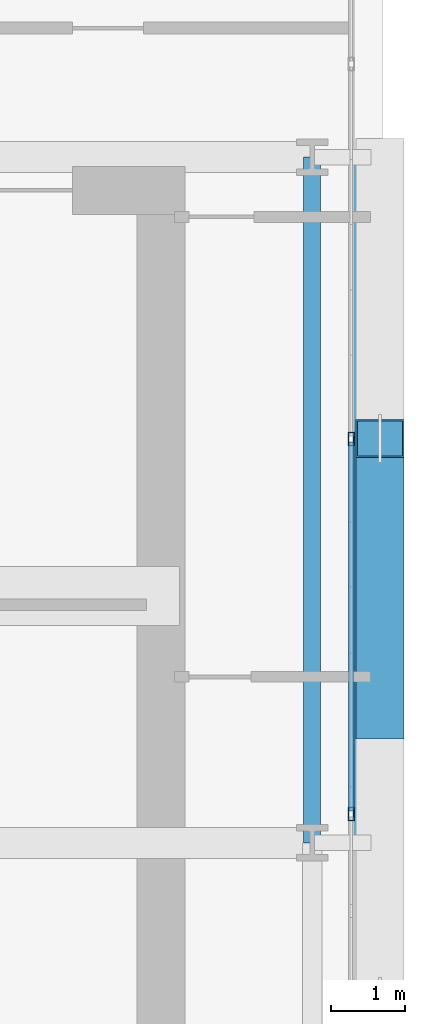
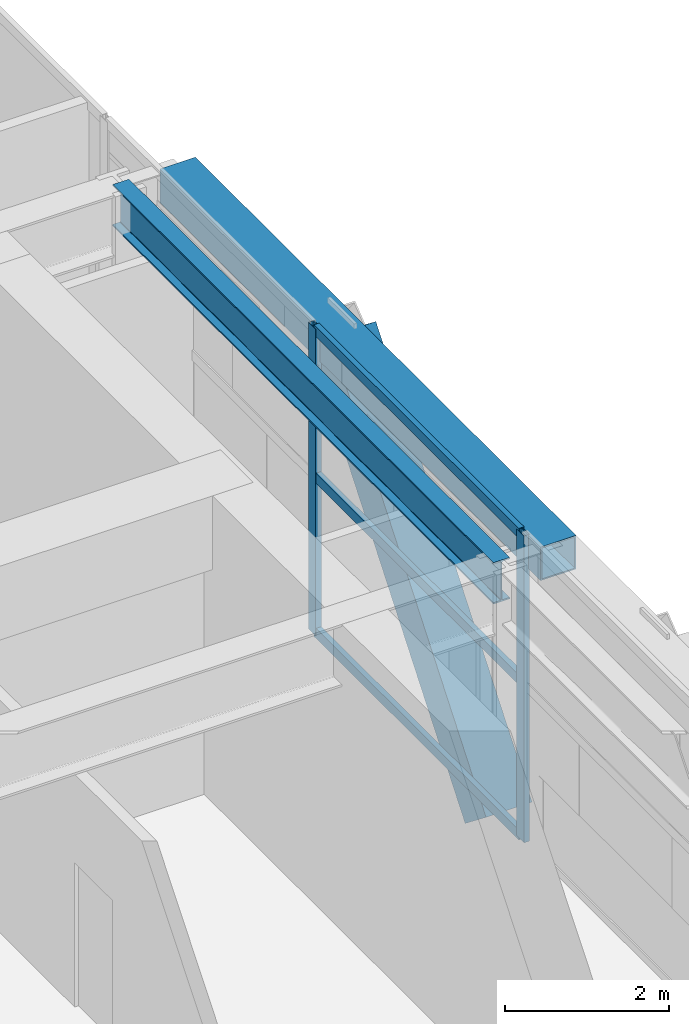
# One storey, part 15 of 35: 6 members, 2 beams, 1 element without a shape of its own.
"""IFC4 building model written with IfcOpenShell, lengths in metres."""

import ifcopenshell
import ifcopenshell.guid

model = None  # the IFC model being written
_history = None  # IfcOwnerHistory: only IFC2X3 demands one
_inside = {}  # id of a spatial element -> (the spatial element, [elements in it])
_under = {}  # id of a project, library or spatial element -> (it, [spatial elements below it])
_declared = {}  # id of a project -> (the project, [libraries it declares])
_typed = {}  # id of a type object -> (the type object, [elements of that type])
_made_of = {}  # id of a material, layer set ... -> (it, [elements and type objects made of it])


def new_model(schema):
    """Start an empty IFC model of exactly this schema.

    Asked for "IFC4X3", IfcOpenShell would pick the latest addendum, in which some entities
    have other attributes; the version numbers below select the first issue.
    IFC2X3 requires an IfcOwnerHistory on every rooted entity: one is made here for all.
    """
    global model, _history
    if schema == "IFC4X3":
        model = ifcopenshell.file(schema_version=(4, 3, 0, 0))
    else:
        model = ifcopenshell.file(schema=schema)
    _inside.clear()
    _under.clear()
    _declared.clear()
    _typed.clear()
    _made_of.clear()
    _history = None
    if model.schema == "IFC2X3":
        org = make("IfcOrganization", Name="unknown")
        user = make(
            "IfcPersonAndOrganization",
            ThePerson=make("IfcPerson", FamilyName="unknown"),
            TheOrganization=org,
        )
        app = make(
            "IfcApplication",
            ApplicationDeveloper=org,
            Version="unknown",
            ApplicationFullName="unknown",
            ApplicationIdentifier="unknown",
        )
        _history = make(
            "IfcOwnerHistory",
            OwningUser=user,
            OwningApplication=app,
            ChangeAction="ADDED",
            CreationDate=0,
        )
    return model


def make(cls, **values):
    """One entity of the class cls with the attributes given. An attribute that is None is left unset."""
    return model.create_entity(
        cls, **{name: value for name, value in values.items() if value is not None}
    )


def rooted(cls, **values):
    """An entity with a GlobalId (a new one), such as an element, a storey or a relation."""
    return make(cls, GlobalId=ifcopenshell.guid.new(), OwnerHistory=_history, **values)


def si_unit(unit_type, name, prefix=None):
    """IfcSIUnit, for example si_unit("LENGTHUNIT", "METRE", prefix="MILLI")."""
    return make("IfcSIUnit", UnitType=unit_type, Prefix=prefix, Name=name)


def assignment(units):
    """IfcUnitAssignment: the units of a project."""
    return None if units is None else make("IfcUnitAssignment", Units=units)


def point(xyz):
    """IfcCartesianPoint."""
    return None if xyz is None else make("IfcCartesianPoint", Coordinates=xyz)


def direction(xyz):
    """IfcDirection."""
    return None if xyz is None else make("IfcDirection", DirectionRatios=xyz)


def frame(location, z_axis=None, x_axis=None):
    """IfcAxis2Placement3D, a coordinate frame: its origin and axes. An axis left out is left unset."""
    return make(
        "IfcAxis2Placement3D",
        Location=point(location),
        Axis=direction(z_axis),
        RefDirection=direction(x_axis),
    )


def frame_2d(location, x_axis=None):
    """IfcAxis2Placement2D, a coordinate frame in the plane: its origin and x axis."""
    return make(
        "IfcAxis2Placement2D", Location=point(location), RefDirection=direction(x_axis)
    )


def origin():
    """The frame at (0, 0, 0) with its axes left unset."""
    return frame((0.0, 0.0, 0.0))


def origin_2d():
    """The frame at (0, 0) in the plane with its x axis left unset."""
    return frame_2d((0.0, 0.0))


def place(relative_to, where):
    """IfcLocalPlacement: puts the frame where relative to a parent placement (None: the world)."""
    return make(
        "IfcLocalPlacement", PlacementRelTo=relative_to, RelativePlacement=where
    )


def context(
    kind, dimensions, precision=None, world=None, true_north=None, identifier=None
):
    """IfcGeometricRepresentationContext, for example the 3D "Model" context."""
    return make(
        "IfcGeometricRepresentationContext",
        ContextIdentifier=identifier,
        ContextType=kind,
        CoordinateSpaceDimension=dimensions,
        Precision=precision,
        WorldCoordinateSystem=world,
        TrueNorth=true_north,
    )


def subcontext(parent, identifier, kind, view, scale=None):
    """IfcGeometricRepresentationSubContext, for example "Body" below "Model"."""
    return make(
        "IfcGeometricRepresentationSubContext",
        ContextIdentifier=identifier,
        ContextType=kind,
        ParentContext=parent,
        TargetScale=scale,
        TargetView=view,
    )


def project(units=None, contexts=None):
    """IfcProject with its units and contexts."""
    return rooted(
        "IfcProject",
        Name="project",
        RepresentationContexts=contexts,
        UnitsInContext=assignment(units),
    )


def spatial(cls, under=None, at=None, **own):
    """A site, building, storey or space (cls), placed at a placement, below another one or the project."""
    s = rooted(cls, ObjectPlacement=at, **own)
    if under is not None:
        _under.setdefault(under.id(), (under, []))[1].append(s)
    return s


def profile(cls, at=None, kind="AREA", **sizes):
    """A parametric profile (cls). Its sizes go by their IFC names, for example OverallWidth=200.0."""
    return make(cls, ProfileType=kind, Position=at, **sizes)


def hollow_rectangle(**sizes):
    """IfcRectangleHollowProfileDef."""
    return profile("IfcRectangleHollowProfileDef", **sizes)


def i_section(**sizes):
    """IfcIShapeProfileDef."""
    return profile("IfcIShapeProfileDef", **sizes)


def extrude(swept, where, along, depth):
    """IfcExtrudedAreaSolid: the profile swept, set in the frame where, extruded along a direction by depth."""
    return make(
        "IfcExtrudedAreaSolid",
        SweptArea=swept,
        Position=where,
        ExtrudedDirection=direction(along),
        Depth=depth,
    )


def shape(context_of_items, identifier, shape_type, items):
    """IfcShapeRepresentation: the items that make up one representation, for example the "Body"."""
    return make(
        "IfcShapeRepresentation",
        ContextOfItems=context_of_items,
        RepresentationIdentifier=identifier,
        RepresentationType=shape_type,
        Items=items,
    )


def source(mapping_origin, context_of_items, identifier, shape_type, items):
    """IfcRepresentationMap: a shape defined once, which mapped items show again and again."""
    return make(
        "IfcRepresentationMap",
        MappingOrigin=mapping_origin,
        MappedRepresentation=shape(context_of_items, identifier, shape_type, items),
    )


def transform(
    local_origin,
    x_axis=None,
    y_axis=None,
    z_axis=None,
    scale=None,
    scale2=None,
    scale3=None,
    uniform=True,
):
    """IfcCartesianTransformationOperator3D, or its non-uniform kind. x_axis, y_axis, z_axis: its Axis1, 2, 3."""
    if uniform:
        return make(
            "IfcCartesianTransformationOperator3D",
            Axis1=direction(x_axis),
            Axis2=direction(y_axis),
            LocalOrigin=point(local_origin),
            Scale=scale,
            Axis3=direction(z_axis),
        )
    return make(
        "IfcCartesianTransformationOperator3DnonUniform",
        Axis1=direction(x_axis),
        Axis2=direction(y_axis),
        LocalOrigin=point(local_origin),
        Scale=scale,
        Axis3=direction(z_axis),
        Scale2=scale2,
        Scale3=scale3,
    )


def mapped(mapping_source, mapping_target):
    """IfcMappedItem: shows the shape of a source again, moved by a transform."""
    return make(
        "IfcMappedItem", MappingSource=mapping_source, MappingTarget=mapping_target
    )


def material(Name=None, Category=None):
    """IfcMaterial."""
    return make("IfcMaterial", Name=Name, Category=Category)


def layer(
    of_material, thickness, ventilated=None, Name=None, Category=None, Priority=None
):
    """IfcMaterialLayer: one layer of a wall or slab, of a material (None: an air gap)."""
    return make(
        "IfcMaterialLayer",
        Material=of_material,
        LayerThickness=thickness,
        IsVentilated=ventilated,
        Name=Name,
        Category=Category,
        Priority=Priority,
    )


def layer_set(layers, Name=None):
    """IfcMaterialLayerSet."""
    return make("IfcMaterialLayerSet", MaterialLayers=layers, LayerSetName=Name)


def material_profile(
    of_material, cross_section, Name=None, Category=None, Priority=None
):
    """IfcMaterialProfile: a cross section and its material."""
    return make(
        "IfcMaterialProfile",
        Name=Name,
        Material=of_material,
        Profile=cross_section,
        Priority=Priority,
        Category=Category,
    )


def profile_set(profiles, Name=None, composite=None):
    """IfcMaterialProfileSet."""
    return make(
        "IfcMaterialProfileSet",
        Name=Name,
        MaterialProfiles=profiles,
        CompositeProfile=composite,
    )


def made_of(thing, what):
    """Note that an element or type object is made of a material, layer set ...; save() writes the relation."""
    if what is not None:
        _made_of.setdefault(what.id(), (what, []))[1].append(thing)
    return thing


def type_object(cls, material=None, **own):
    """A type object (cls), such as IfcWallType, which elements share."""
    return made_of(rooted(cls, **own), material)


def element(
    cls,
    number,
    at=None,
    inside=None,
    cuts=None,
    type_object=None,
    material=None,
    context=None,
    identifier="Body",
    shape_type=None,
    held_by="IfcProductDefinitionShape",
    body=None,
    shapes=None,
    **own,
):
    """One element of the class cls, such as IfcWall. Its Tag is "e" and its number.

    at: its placement. inside: the storey or other place that contains it. cuts: it is an
    opening in that element (IfcRelVoidsElement). A single representation is given by context,
    identifier, shape_type and body (its items); several are given by shapes. held_by: the class
    of the entity that holds the representations. save() writes the other relations.
    """
    e = rooted(cls, Tag="e%d" % number, ObjectPlacement=at, **own)
    if body is not None:
        shapes = [shape(context, identifier, shape_type, body)]
    if shapes is not None:
        e.Representation = make(held_by, Representations=shapes)
    if inside is not None:
        _inside.setdefault(inside.id(), (inside, []))[1].append(e)
    if cuts is not None:
        rooted(
            "IfcRelVoidsElement", RelatingBuildingElement=cuts, RelatedOpeningElement=e
        )
    if type_object is not None:
        _typed.setdefault(type_object.id(), (type_object, []))[1].append(e)
    return made_of(e, material)


def aggregate(whole, parts):
    """IfcRelAggregates: a whole, such as a stair, and the parts it consists of."""
    return rooted("IfcRelAggregates", RelatingObject=whole, RelatedObjects=parts)


def save(model, path):
    """Write the relations noted so far, then the file.

    IfcRelAggregates (storeys below a building ...), IfcRelContainedInSpatialStructure (elements
    in a storey), IfcRelDefinesByType, IfcRelAssociatesMaterial and IfcRelDeclares: one each for
    every whole, place, type object, material and project.
    """
    for whole, parts in _under.values():
        aggregate(whole, parts)
    for where, things in _inside.values():
        rooted(
            "IfcRelContainedInSpatialStructure",
            RelatedElements=things,
            RelatingStructure=where,
        )
    for kind, things in _typed.values():
        rooted("IfcRelDefinesByType", RelatedObjects=things, RelatingType=kind)
    for what, things in _made_of.values():
        rooted("IfcRelAssociatesMaterial", RelatedObjects=things, RelatingMaterial=what)
    for by, libraries in _declared.values():
        rooted("IfcRelDeclares", RelatingContext=by, RelatedDefinitions=libraries)
    model.write(path)


model = new_model("IFC4")

# Units and contexts
model_context = context("Model", 3, precision=1e-05, world=origin(), true_north=direction((0.0, 1.0)))
body_context = subcontext(model_context, "Body", "Model", "MODEL_VIEW")
ifc_project = project(units=[si_unit("LENGTHUNIT", "METRE"), si_unit("AREAUNIT", "SQUARE_METRE"), si_unit("VOLUMEUNIT", "CUBIC_METRE"), si_unit("PLANEANGLEUNIT", "RADIAN"), si_unit("MASSUNIT", "GRAM", prefix="KILO")], contexts=[model_context])

# Site, building, storey
site_placement = place(None, origin())
site = spatial("IfcSite", under=ifc_project, at=site_placement, CompositionType="ELEMENT")
building_placement = place(site_placement, origin())
building = spatial("IfcBuilding", under=site, at=building_placement, Name="Ocotamira Hotel", CompositionType="ELEMENT")
storey_placement = place(building_placement, frame((0.0, 0.0, 158.39990234375)))
storey = spatial("IfcBuildingStorey", under=building, at=storey_placement, Name="L39", CompositionType="ELEMENT", Elevation=158.39990234375)

# Beams
ifc_material_1 = material(Name="Steel ASTM A992 Grade 50", Category="steel")
ifc_material_profile_1 = material_profile(ifc_material_1, i_section(OverallWidth=0.22998046875, OverallDepth=0.616943359375, WebThickness=0.01318359375, FlangeThickness=0.022216796875, FilletRadius=0.012939453125, at=origin_2d()), Name="W24X94")
ifc_profile_set_1 = profile_set([ifc_material_profile_1], Name="Steel ASTM A992 Grade 50")
beam_type_1 = type_object("IfcBeamType", Name="BM-PRIM-W24X94", PredefinedType="BEAM", material=ifc_profile_set_1)
shared_shape_1 = source(origin(), body_context, "Body", "SweptSolid", [
    extrude(i_section(OverallWidth=0.22998046875, OverallDepth=0.616943359375, WebThickness=0.01318359375, FlangeThickness=0.022216796875, FilletRadius=0.012939453125, at=origin_2d()), origin(), (0.0, 0.0, 1.0), 9.300048828125),
])
beam_1_placement = place(storey_placement, frame((55.050048828125, 28.14990234375, 4.26171875), z_axis=(0.0, 1.0, 0.0), x_axis=(-1.0, 0.0, 0.0)))
element("IfcBeam", 1, at=beam_1_placement, inside=storey, type_object=beam_type_1, Name="L39 Beam X55.05 Y28.15-37.45", PredefinedType="BEAM", context=body_context, shape_type="MappedRepresentation", body=[
    mapped(shared_shape_1, transform((0.0, 0.0, 0.0), scale=1.0)),
])
ifc_material_2 = material(Name="Steel ASTM A500 Grade C", Category="steel")
ifc_material_profile_2 = material_profile(ifc_material_2, hollow_rectangle(XDim=0.5, YDim=0.5, WallThickness=0.02001953125, at=origin_2d()), Name="HSS500X500X20")
ifc_profile_set_2 = profile_set([ifc_material_profile_2], Name="Steel ASTM A500 Grade C")
beam_type_2 = type_object("IfcBeamType", Name="BM-SPAN-HSS500", PredefinedType="USERDEFINED", material=ifc_profile_set_2)
shared_shape_2 = source(origin(), body_context, "Body", "SweptSolid", [
    extrude(hollow_rectangle(XDim=0.5, YDim=0.5, WallThickness=0.02001953125, at=origin_2d()), origin(), (0.0, 0.0, 1.0), 9.300048828125),
])
beam_2_placement = place(storey_placement, frame((55.85009765625, 28.14990234375, 4.320068359375), z_axis=(0.0, 1.0, 0.0), x_axis=(-1.0, 0.0, 0.0)))
element("IfcBeam", 2, at=beam_2_placement, inside=storey, type_object=beam_type_2, Name="L39 Edge Spandrel E Y28.15-37.45", ObjectType="SPANDREL", PredefinedType="USERDEFINED", context=body_context, shape_type="MappedRepresentation", body=[
    mapped(shared_shape_2, transform((0.0, 0.0, 0.0), scale=1.0)),
])

# Member
ifc_material_3 = material(Name="Pale-metal coated steel ASTM A913 Grade 65", Category="steel")
ifc_material_profile_3 = material_profile(ifc_material_3, hollow_rectangle(XDim=0.64990234375, YDim=0.64990234375, WallThickness=0.02197265625, at=origin_2d()), Name="BOX650X650X22")
ifc_profile_set_3 = profile_set([ifc_material_profile_3], Name="Pale-metal coated steel ASTM A913 Grade 65")
member_type_1 = type_object("IfcMemberType", Name="MEM-EXO-BOX650", PredefinedType="BRACE", material=ifc_profile_set_3)
shared_shape_3 = source(origin(), body_context, "Body", "SweptSolid", [
    extrude(hollow_rectangle(XDim=0.64990234375, YDim=0.64990234375, WallThickness=0.02197265625, at=origin_2d()), origin(), (0.0, 0.0, 1.0), 6.171630859375),
])
member_1_placement = place(storey_placement, frame((55.969970703125, 29.816650390625, -0.52978515625), z_axis=(0.0, 0.618427608591, 0.785841773471), x_axis=(-1.0, 0.0, 0.0)))
element("IfcMember", 3, at=member_1_placement, inside=storey, type_object=member_type_1, Name="L39 Exoskeleton Diagrid E2.1", PredefinedType="BRACE", context=body_context, shape_type="MappedRepresentation", body=[
    mapped(shared_shape_3, transform((0.0, 0.0, 0.0), scale=1.0)),
])

# Curtain wall, members
ifc_material_4 = material(Name="Anodised pale-metal aluminium and solar glass", Category="aluminium")
ifc_layer = layer(ifc_material_4, 0.239990234375)
ifc_layer_set = layer_set([ifc_layer], Name="Anodised pale-metal aluminium and solar glass")
curtain_wall_type = type_object("IfcCurtainWallType", Name="CW-SYS5-SKY", PredefinedType="NOTDEFINED", material=ifc_layer_set)
curtain_wall_placement = place(storey_placement, origin())
curtain_wall = element("IfcCurtainWall", 4, at=curtain_wall_placement, inside=storey, type_object=curtain_wall_type, Name="L39 Curtain Wall CW-5 CW-L39-E", PredefinedType="NOTDEFINED")
ifc_material_5 = material(Name="Anodised pale-metal aluminium 6063-T6", Category="aluminium")
ifc_material_profile_4 = material_profile(ifc_material_5, hollow_rectangle(XDim=0.074951171875, YDim=0.14990234375, WallThickness=0.006103515625, at=origin_2d()), Name="HSS150X75X6")
ifc_profile_set_4 = profile_set([ifc_material_profile_4], Name="Anodised pale-metal aluminium 6063-T6")
member_type_2 = type_object("IfcMemberType", Name="CWT-150X75", PredefinedType="USERDEFINED", material=ifc_profile_set_4)
shared_shape_4 = source(origin(), body_context, "Body", "SweptSolid", [
    extrude(hollow_rectangle(XDim=0.074951171875, YDim=0.14990234375, WallThickness=0.006103515625, at=origin_2d()), origin(), (0.0, 0.0, 1.0), 5.005859375),
])
member_2_placement = place(storey_placement, frame((55.580078125, 28.582763671875, 0.03759765625), z_axis=(0.0, 1.0, 0.0), x_axis=(-1.0, 0.0, 0.0)))
member_2 = element("IfcMember", 5, at=member_2_placement, type_object=member_type_2, Name="CW-5 transom 5.1", ObjectType="TRANSOM", PredefinedType="USERDEFINED", context=body_context, shape_type="MappedRepresentation", body=[
    mapped(shared_shape_4, transform((0.0, 0.0, 0.0), scale=1.0)),
])
member_3_placement = place(storey_placement, frame((55.580078125, 28.582763671875, 2.35009765625), z_axis=(0.0, 1.0, 0.0), x_axis=(-1.0, 0.0, 0.0)))
member_3 = element("IfcMember", 6, at=member_3_placement, type_object=member_type_2, Name="CW-5 transom 5.2", ObjectType="TRANSOM", PredefinedType="USERDEFINED", context=body_context, shape_type="MappedRepresentation", body=[
    mapped(shared_shape_4, transform((0.0, 0.0, 0.0), scale=1.0)),
])
member_4_placement = place(storey_placement, frame((55.580078125, 28.582763671875, 4.53271484375), z_axis=(0.0, 1.0, 0.0), x_axis=(-1.0, 0.0, 0.0)))
member_4 = element("IfcMember", 7, at=member_4_placement, type_object=member_type_2, Name="CW-5 transom 5.3", ObjectType="TRANSOM", PredefinedType="USERDEFINED", context=body_context, shape_type="MappedRepresentation", body=[
    mapped(shared_shape_4, transform((0.0, 0.0, 0.0), scale=1.0)),
])
ifc_material_profile_5 = material_profile(ifc_material_5, hollow_rectangle(XDim=0.080078125, YDim=0.179931640625, WallThickness=0.006103515625, at=origin_2d()), Name="HSS180X80X6")
ifc_profile_set_5 = profile_set([ifc_material_profile_5], Name="Anodised pale-metal aluminium 6063-T6")
member_type_3 = type_object("IfcMemberType", Name="CWM-180X75", PredefinedType="MULLION", material=ifc_profile_set_5)
shared_shape_5 = source(origin(), body_context, "Body", "SweptSolid", [
    extrude(hollow_rectangle(XDim=0.080078125, YDim=0.179931640625, WallThickness=0.006103515625, at=origin_2d()), origin(), (0.0, 0.0, 1.0), 4.570068359375),
])
member_5_placement = place(storey_placement, frame((55.580078125, 28.54296875, 0.0), z_axis=(0.0, 0.0, 1.0), x_axis=(-1.0, 0.0, 0.0)))
member_5 = element("IfcMember", 8, at=member_5_placement, type_object=member_type_3, Name="CW-5 mullion 5", PredefinedType="MULLION", context=body_context, shape_type="MappedRepresentation", body=[
    mapped(shared_shape_5, transform((0.0, 0.0, 0.0), scale=1.0)),
])
member_6_placement = place(storey_placement, frame((55.580078125, 33.628662109375, 0.0), z_axis=(0.0, 0.0, 1.0), x_axis=(-1.0, 0.0, 0.0)))
member_6 = element("IfcMember", 9, at=member_6_placement, type_object=member_type_3, Name="CW-5 mullion 6", PredefinedType="MULLION", context=body_context, shape_type="MappedRepresentation", body=[
    mapped(shared_shape_5, transform((0.0, 0.0, 0.0), scale=1.0)),
])
aggregate(curtain_wall, [member_5, member_6, member_2, member_3, member_4])

save(model, "model.ifc")
